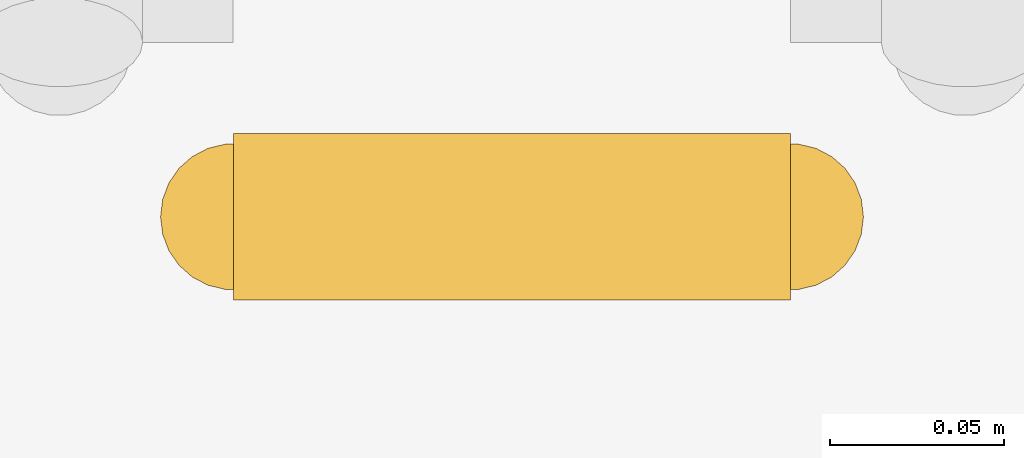
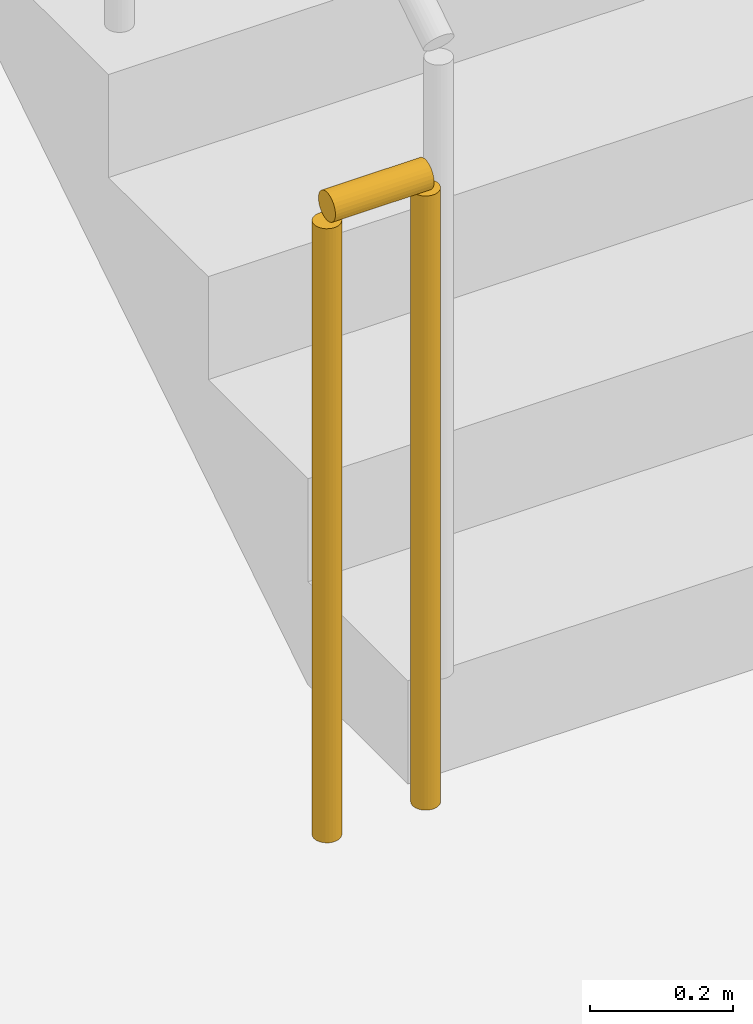
# One storey, part 41 of 66: 1 railing.
"""IFC4 building model written with IfcOpenShell, lengths in metres."""

from ifc_helpers import new_model, si_unit, direction, frame, origin, origin_2d, place, context, subcontext, project, spatial, circle, extrude, material, type_object, element, save


model = new_model("IFC4")

# Units and contexts
model_context = context("Model", 3, precision=1e-05, world=origin(), true_north=direction((0.0, 1.0)))
body_context = subcontext(model_context, "Body", "Model", "MODEL_VIEW")
ifc_project = project(units=[si_unit("LENGTHUNIT", "METRE"), si_unit("AREAUNIT", "SQUARE_METRE"), si_unit("VOLUMEUNIT", "CUBIC_METRE"), si_unit("PLANEANGLEUNIT", "RADIAN"), si_unit("MASSUNIT", "GRAM", prefix="KILO")], contexts=[model_context])

# Site, building, storey
site_placement = place(None, origin())
site = spatial("IfcSite", under=ifc_project, at=site_placement, CompositionType="ELEMENT")
building_placement = place(site_placement, origin())
building = spatial("IfcBuilding", under=site, at=building_placement, Name="Lunette Opera House", CompositionType="ELEMENT")
storey_placement = place(building_placement, frame((0.0, 0.0, -6.0)))
storey = spatial("IfcBuildingStorey", under=building, at=storey_placement, Name="B1", CompositionType="ELEMENT", Elevation=-6.0)

# Railing
ifc_material = material(Name="Steel S355", Category="steel")
railing_type = type_object("IfcRailingType", Name="STAIR GUARD 1100", PredefinedType="GUARDRAIL", material=ifc_material)
railing_placement = place(storey_placement, frame((78.780029296875, 66.570068359375, 0.0)))
element("IfcRailing", 1, at=railing_placement, inside=storey, type_object=railing_type, Name="B1 ST7 stair guard 4", PredefinedType="GUARDRAIL", context=body_context, shape_type="SweptSolid", body=[
    extrude(circle(Radius=0.02392578125, at=origin_2d()), frame((0.0, 0.0, 1.076171875), z_axis=(-1.0, 0.0, 0.0), x_axis=(0.0, -1.0, 0.0)), (0.0, 0.0, 1.0), 0.159912109375),
    extrude(circle(Radius=0.02099609375, at=origin_2d()), origin(), (0.0, 0.0, 1.0), 1.052001953125),
    extrude(circle(Radius=0.02099609375, at=origin_2d()), frame((-0.159912109375, 0.0, 0.0)), (0.0, 0.0, 1.0), 1.052001953125),
])

save(model, "model.ifc")
